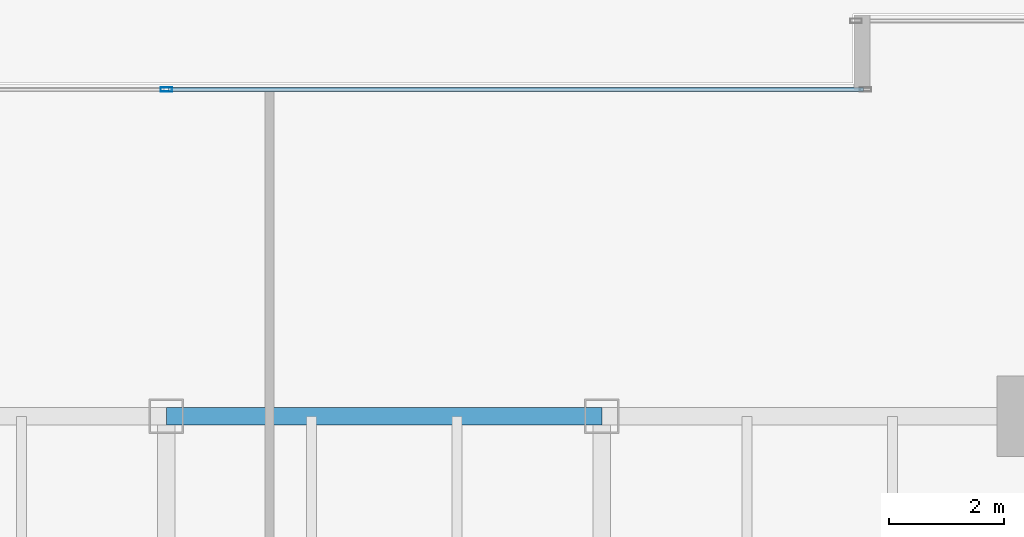
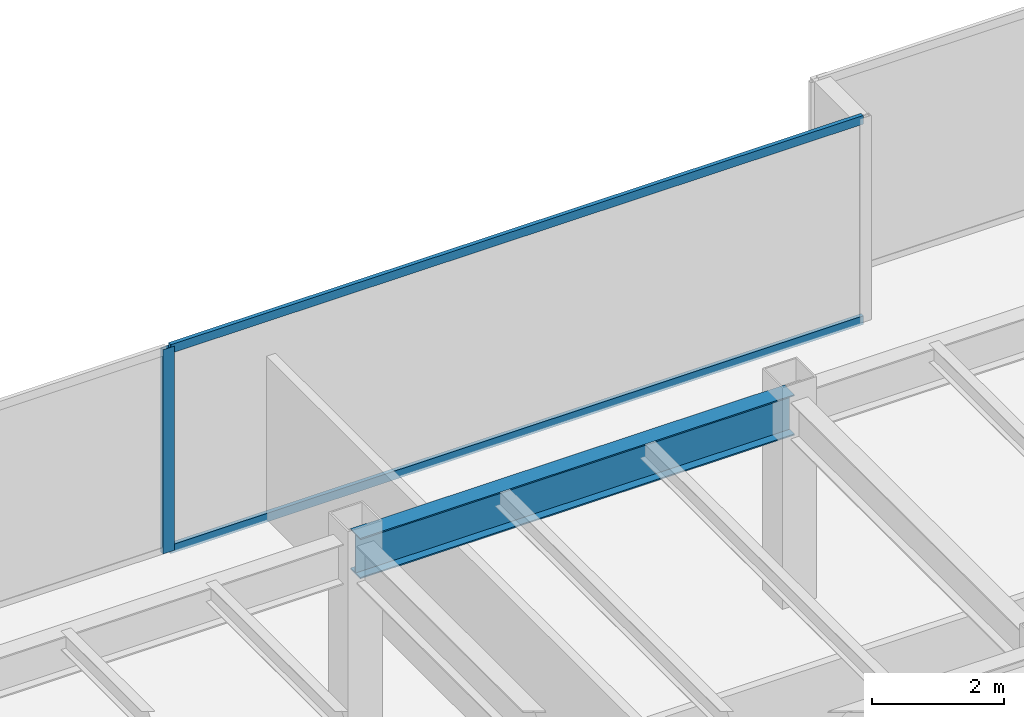
# One storey, part 18 of 36: 3 members, 1 beam, 1 element without a shape of its own.
"""IFC4 building model written with IfcOpenShell, lengths in metres."""

from ifc_helpers import new_model, si_unit, direction, frame, origin, origin_2d, place, context, subcontext, project, spatial, hollow_rectangle, i_section, extrude, source, transform, mapped, material, layer, layer_set, material_profile, profile_set, type_object, type_shapes, element, aggregate, save


model = new_model("IFC4")

# Units and contexts
model_context = context("Model", 3, precision=1e-05, world=origin(), true_north=direction((0.0, 1.0)))
body_context = subcontext(model_context, "Body", "Model", "MODEL_VIEW")
ifc_project = project(units=[si_unit("LENGTHUNIT", "METRE"), si_unit("AREAUNIT", "SQUARE_METRE"), si_unit("VOLUMEUNIT", "CUBIC_METRE"), si_unit("PLANEANGLEUNIT", "RADIAN"), si_unit("MASSUNIT", "GRAM", prefix="KILO")], contexts=[model_context])

# Site, building, storey
site_placement = place(None, origin())
site = spatial("IfcSite", under=ifc_project, at=site_placement, CompositionType="ELEMENT")
building_placement = place(site_placement, origin())
building = spatial("IfcBuilding", under=site, at=building_placement, Name="Haelvirn Gate Laboratories", CompositionType="ELEMENT")
storey_placement = place(building_placement, frame((0.0, 0.0, 25.199951171875)))
storey = spatial("IfcBuildingStorey", under=building, at=storey_placement, Name="L06", CompositionType="ELEMENT", Elevation=25.199951171875)

# Beam
ifc_material_1 = material(Name="Steel SM355", Category="steel")
ifc_material_profile_1 = material_profile(ifc_material_1, i_section(OverallWidth=0.300048828125, OverallDepth=0.75, WebThickness=0.013916015625, FlangeThickness=0.02392578125, at=origin_2d()), Name="H-750x300x14x24")
ifc_profile_set_1 = profile_set([ifc_material_profile_1], Name="Steel SM355")
beam_type = type_object("IfcBeamType", Name="BM-G-750", PredefinedType="BEAM", material=ifc_profile_set_1)
shared_shape_1 = source(origin(), body_context, "Body", "SweptSolid", [
    extrude(i_section(OverallWidth=0.300048828125, OverallDepth=0.75, WebThickness=0.013916015625, FlangeThickness=0.02392578125, at=origin_2d()), origin(), (0.0, 0.0, 1.0), 7.60009765625),
])
type_shapes(beam_type, [shared_shape_1])
beam_placement = place(storey_placement, frame((37.39990234375, 41.60009765625, 3.405029296875), z_axis=(1.0, 0.0, 0.0), x_axis=(0.0, 1.0, 0.0)))
element("IfcBeam", 1, at=beam_placement, inside=storey, type_object=beam_type, Name="L06 Primary Girder Y41.6 (37.4-45.0)", PredefinedType="BEAM", context=body_context, shape_type="MappedRepresentation", body=[
    mapped(shared_shape_1, transform((0.0, 0.0, 0.0), scale=1.0)),
])

# Curtain wall, members
ifc_material_2 = material(Name="Anodised bronze unitised aluminium & triple low-E glass", Category="aluminium")
ifc_layer = layer(ifc_material_2, 0.18408203125, Name="CW-SYS-2")
ifc_layer_set = layer_set([ifc_layer], Name="Anodised bronze unitised aluminium & triple low-E glass")
curtain_wall_type = type_object("IfcCurtainWallType", Name="CW-SYS-2", PredefinedType="NOTDEFINED", material=ifc_layer_set)
curtain_wall_placement = place(storey_placement, origin())
curtain_wall = element("IfcCurtainWall", 2, at=curtain_wall_placement, inside=storey, type_object=curtain_wall_type, Name="L06 Unitised Curtain Wall CW-L06-P0-E12-1", PredefinedType="NOTDEFINED")
ifc_material_3 = material(Name="Extruded aluminium 6063-T6 (anodised bronze)", Category="aluminium")
ifc_material_profile_2 = material_profile(ifc_material_3, hollow_rectangle(XDim=0.074951171875, YDim=0.199951171875, WallThickness=0.0048828125, at=origin_2d()), Name="CWM-200x75x5")
ifc_profile_set_2 = profile_set([ifc_material_profile_2], Name="Extruded aluminium 6063-T6 (anodised bronze)")
member_type_1 = type_object("IfcMemberType", Name="CWM-T200", PredefinedType="MULLION", material=ifc_profile_set_2)
shared_shape_2 = source(origin(), body_context, "Body", "SweptSolid", [
    extrude(hollow_rectangle(XDim=0.074951171875, YDim=0.199951171875, WallThickness=0.0048828125, at=origin_2d()), origin(), (0.0, 0.0, 1.0), 3.780029296875),
])
type_shapes(member_type_1, [shared_shape_2])
member_1_placement = place(storey_placement, frame((37.39990234375, 47.300048828125, 0.0), z_axis=(0.0, 0.0, 1.0), x_axis=(0.0, 1.0, 0.0)))
member_1 = element("IfcMember", 3, at=member_1_placement, type_object=member_type_1, Name="CW2 mullion 2", PredefinedType="MULLION", context=body_context, shape_type="MappedRepresentation", body=[
    mapped(shared_shape_2, transform((0.0, 0.0, 0.0), scale=1.0)),
])
ifc_material_profile_3 = material_profile(ifc_material_3, hollow_rectangle(XDim=0.070068359375, YDim=0.159912109375, WallThickness=0.0048828125, at=origin_2d()), Name="CWT-160x70x5")
ifc_profile_set_3 = profile_set([ifc_material_profile_3], Name="Extruded aluminium 6063-T6 (anodised bronze)")
member_type_2 = type_object("IfcMemberType", Name="CWT-T160", PredefinedType="USERDEFINED", material=ifc_profile_set_3)
shared_shape_3 = source(origin(), body_context, "Body", "SweptSolid", [
    extrude(hollow_rectangle(XDim=0.070068359375, YDim=0.159912109375, WallThickness=0.0048828125, at=origin_2d()), origin(), (0.0, 0.0, 1.0), 12.12744140625),
])
type_shapes(member_type_2, [shared_shape_3])
member_2_placement = place(storey_placement, frame((37.4375, 47.300048828125, 0.03515625), z_axis=(1.0, 0.0, 0.0), x_axis=(0.0, 1.0, 0.0)))
member_2 = element("IfcMember", 4, at=member_2_placement, type_object=member_type_2, Name="CW2 transom 2.1", ObjectType="TRANSOM", PredefinedType="USERDEFINED", context=body_context, shape_type="MappedRepresentation", body=[
    mapped(shared_shape_3, transform((0.0, 0.0, 0.0), scale=1.0)),
])
member_3_placement = place(storey_placement, frame((37.4375, 47.300048828125, 3.7451171875), z_axis=(1.0, 0.0, 0.0), x_axis=(0.0, 1.0, 0.0)))
member_3 = element("IfcMember", 5, at=member_3_placement, type_object=member_type_2, Name="CW2 transom 2.2", ObjectType="TRANSOM", PredefinedType="USERDEFINED", context=body_context, shape_type="MappedRepresentation", body=[
    mapped(shared_shape_3, transform((0.0, 0.0, 0.0), scale=1.0)),
])
aggregate(curtain_wall, [member_1, member_2, member_3])

save(model, "model.ifc")
